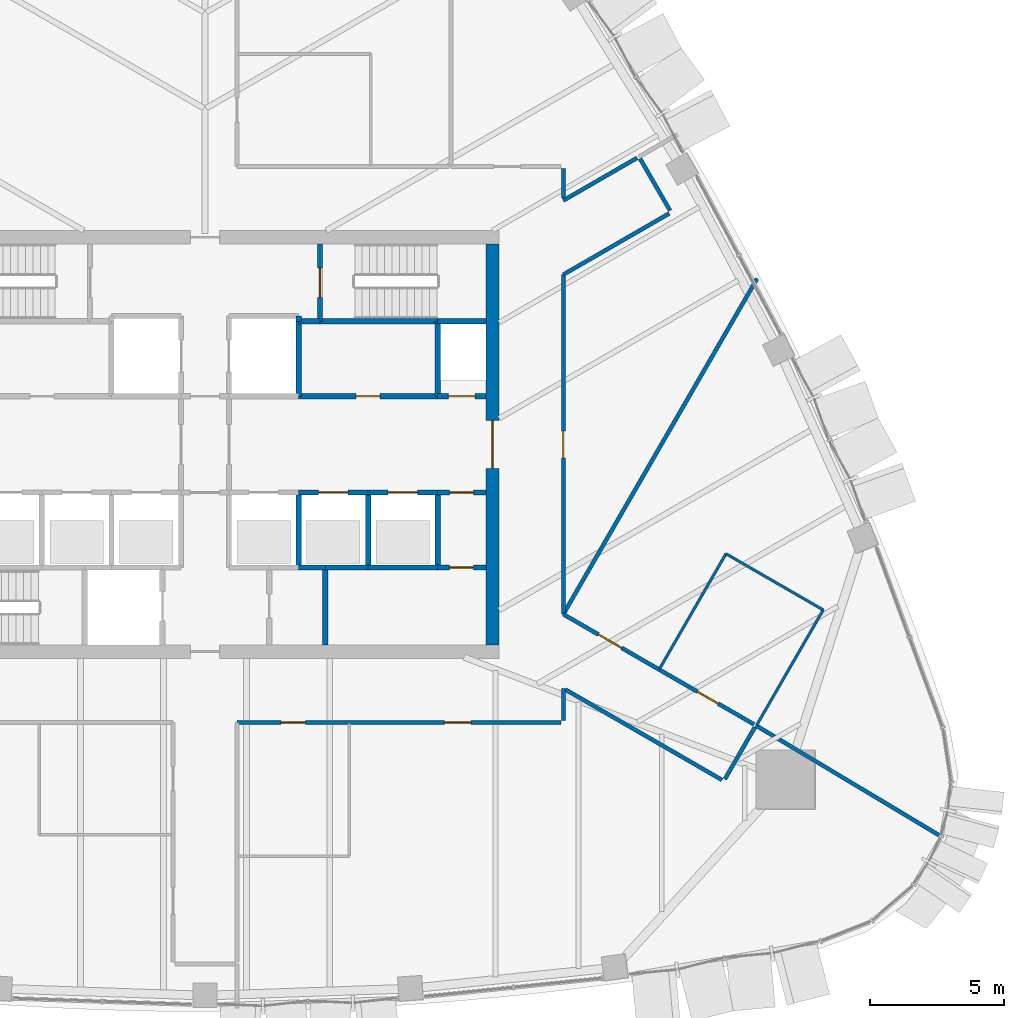
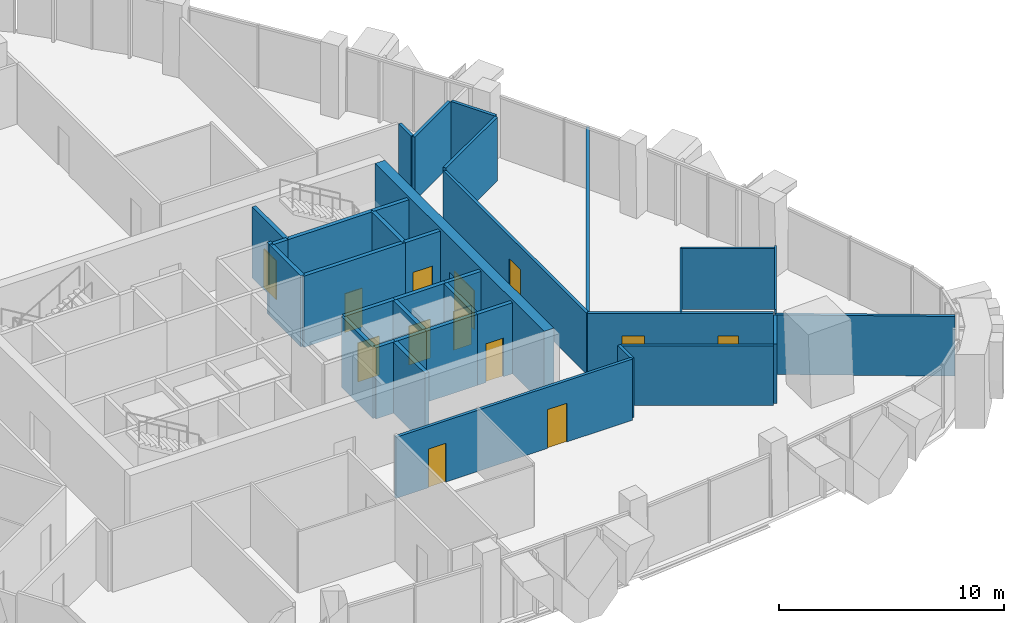
# One storey, part 13 of 18: 36 walls, 13 doors, 13 openings.
"""IFC4 building model written with IfcOpenShell, lengths in metres."""

from ifc_helpers import new_model, si_unit, direction, frame, frame_2d, origin, place, context, subcontext, project, spatial, rectangle, extrude, material, layer, layer_set, type_object, element, fill, save


model = new_model("IFC4")

# Units and contexts
model_context = context("Model", 3, precision=1e-05, world=origin(), true_north=direction((0.0, 1.0)))
body_context = subcontext(model_context, "Body", "Model", "MODEL_VIEW")
ifc_project = project(units=[si_unit("LENGTHUNIT", "METRE"), si_unit("AREAUNIT", "SQUARE_METRE"), si_unit("VOLUMEUNIT", "CUBIC_METRE"), si_unit("PLANEANGLEUNIT", "RADIAN"), si_unit("MASSUNIT", "GRAM", prefix="KILO")], contexts=[model_context])

# Site, building, storey
site_placement = place(None, origin())
site = spatial("IfcSite", under=ifc_project, at=site_placement, CompositionType="ELEMENT")
building_placement = place(site_placement, origin())
building = spatial("IfcBuilding", under=site, at=building_placement, Name="Sierra Prisma Convention Tower", CompositionType="ELEMENT")
storey_placement = place(building_placement, frame((0.0, 0.0, 251.0)))
storey = spatial("IfcBuildingStorey", under=building, at=storey_placement, Name="L56", CompositionType="ELEMENT", Elevation=251.0)

# Walls
ifc_material_1 = material(Name="Gypsum board partition", Category="gypsum")
ifc_layer_1 = layer(ifc_material_1, 0.10009765625)
ifc_layer_set_1 = layer_set([ifc_layer_1], Name="Bathroom partition 100")
wall_type_1 = type_object("IfcWallType", Name="Bathroom partition 100", PredefinedType="PARTITIONING", material=ifc_layer_set_1)
wall_1_placement = place(storey_placement, frame((16.99755859375, -8.393310546875, 0.0), z_axis=(0.0, 0.0, 1.0), x_axis=(0.500011595943, 0.86601870876, 0.0)))
element("IfcWall", 1, at=wall_1_placement, inside=storey, type_object=wall_type_1, Name="Partition L56 bath 9", PredefinedType="PARTITIONING", context=body_context, shape_type="SweptSolid", body=[
    extrude(rectangle(XDim=4.97021484375, YDim=0.10009765625, at=frame_2d((2.485107421875, 0.0))), origin(), (0.0, 0.0, 1.0), 3.31689453125),
])
wall_2_placement = place(storey_placement, frame((19.482666015625, -4.089111328125, 0.0), z_axis=(0.0, 0.0, 1.0), x_axis=(0.866009402589, -0.500027713859, 0.0)))
element("IfcWall", 2, at=wall_2_placement, inside=storey, type_object=wall_type_1, Name="Partition L56 bath 10", PredefinedType="PARTITIONING", context=body_context, shape_type="SweptSolid", body=[
    extrude(rectangle(XDim=4.199951171875, YDim=0.10009765625, at=frame_2d((2.10009765625, 0.0))), origin(), (0.0, 0.0, 1.0), 3.31689453125),
])
wall_3_placement = place(storey_placement, frame((23.119873046875, -6.189208984375, 0.0), z_axis=(0.0, 0.0, 1.0), x_axis=(-0.499974753747, -0.866039979225, 0.0)))
element("IfcWall", 3, at=wall_3_placement, inside=storey, type_object=wall_type_1, Name="Partition L56 bath 11", PredefinedType="PARTITIONING", context=body_context, shape_type="SweptSolid", body=[
    extrude(rectangle(XDim=4.969970703125, YDim=0.10009765625, at=frame_2d((2.48486328125, 0.0))), origin(), (0.0, 0.0, 1.0), 3.443115234375),
])
ifc_material_2 = material(Name="Concrete C30/37", Category="concrete")
ifc_layer_2 = layer(ifc_material_2, 0.199951171875)
ifc_layer_set_2 = layer_set([ifc_layer_2], Name="Core wall RC 200 C30/37")
wall_type_2 = type_object("IfcWallType", Name="Core wall RC 200 C30/37", PredefinedType="SOLIDWALL", material=ifc_layer_set_2)
wall_4_placement = place(storey_placement, frame((3.5, 4.60009765625, 0.0), z_axis=(0.0, 0.0, 1.0), x_axis=(0.0, 1.0, 0.0)))
element("IfcWall", 4, at=wall_4_placement, inside=storey, type_object=wall_type_2, Name="Core wall L56 37", PredefinedType="SOLIDWALL", context=body_context, shape_type="SweptSolid", body=[
    extrude(rectangle(XDim=0.199951171875, YDim=0.199951171875, at=frame_2d((0.10009765625, 0.0))), origin(), (0.0, 0.0, 1.0), 3.85009765625),
])
wall_5_placement = place(storey_placement, frame((4.5, -4.60009765625, 0.0), z_axis=(0.0, 0.0, 1.0), x_axis=(-1.0, 0.0, 0.0)))
element("IfcWall", 5, at=wall_5_placement, inside=storey, type_object=wall_type_2, Name="Core wall L56 42", PredefinedType="SOLIDWALL", context=body_context, shape_type="SweptSolid", body=[
    extrude(rectangle(XDim=1.0, YDim=0.199951171875, at=frame_2d((0.5, 0.0))), origin(), (0.0, 0.0, 1.0), 3.85009765625),
])
wall_6_placement = place(storey_placement, frame((3.5, -4.60009765625, 0.0), z_axis=(0.0, 0.0, 1.0), x_axis=(0.0, 1.0, 0.0)))
element("IfcWall", 6, at=wall_6_placement, inside=storey, type_object=wall_type_2, Name="Core wall L56 43", PredefinedType="SOLIDWALL", context=body_context, shape_type="SweptSolid", body=[
    extrude(rectangle(XDim=2.800048828125, YDim=0.199951171875, at=frame_2d((1.39990234375, 0.0))), origin(), (0.0, 0.0, 1.0), 3.85009765625),
])

# Wall, opening, door
wall_7_placement = place(storey_placement, frame((3.5, -1.800048828125, 0.0), z_axis=(0.0, 0.0, 1.0), x_axis=(1.0, 0.0, 0.0)))
wall_7 = element("IfcWall", 7, at=wall_7_placement, inside=storey, type_object=wall_type_2, Name="Core wall L56 44", PredefinedType="SOLIDWALL", context=body_context, shape_type="SweptSolid", body=[
    extrude(rectangle(XDim=2.60009765625, YDim=0.199951171875, at=frame_2d((1.300048828125, 0.0))), origin(), (0.0, 0.0, 1.0), 3.85009765625),
])
opening_1_placement = place(wall_7_placement, frame((0.75, 0.0, 0.0)))
opening_1 = element("IfcOpeningElement", 8, at=opening_1_placement, cuts=wall_7, Name="Opening L56-D005", PredefinedType="OPENING", context=body_context, shape_type="SweptSolid", body=[
    extrude(rectangle(XDim=1.10009765625, YDim=2.10009765625, at=frame_2d((0.550048828125, 1.050048828125))), frame((0.0, 0.10009765625, 0.0), z_axis=(0.0, -1.0, 0.0), x_axis=(1.0, 0.0, 0.0)), (0.0, 0.0, 1.0), 0.199951171875),
])
ifc_material_3 = material(Name="Steel fire door leaf", Category="steel")
door_type_1 = type_object("IfcDoorType", Name="Door 1100x2100 EI 90 sliding lift landing", OperationType="SLIDING_TO_LEFT", PredefinedType="DOOR", material=ifc_material_3)
door_1_placement = place(opening_1_placement, origin())
door_1 = element("IfcDoor", 9, at=door_1_placement, inside=storey, type_object=door_type_1, Name="Door L56 20", OperationType="SLIDING_TO_LEFT", OverallHeight=2.10009765625, OverallWidth=1.10009765625, PredefinedType="DOOR", context=body_context, shape_type="SweptSolid", body=[
    extrude(rectangle(XDim=1.10009765625, YDim=2.10009765625, at=frame_2d((0.550048828125, 1.050048828125))), frame((0.0, 0.02490234375, 0.0), z_axis=(0.0, -1.0, 0.0), x_axis=(1.0, 0.0, 0.0)), (0.0, 0.0, 1.0), 0.050048828125),
])
fill(opening_1, door_1)

wall_8_placement = place(storey_placement, frame((3.5, 1.800048828125, 0.0), z_axis=(0.0, 0.0, 1.0), x_axis=(1.0, 0.0, 0.0)))
wall_8 = element("IfcWall", 10, at=wall_8_placement, inside=storey, type_object=wall_type_2, Name="Core wall L56 45", PredefinedType="SOLIDWALL", context=body_context, shape_type="SweptSolid", body=[
    extrude(rectangle(XDim=5.199951171875, YDim=0.199951171875, at=frame_2d((2.60009765625, 0.0))), origin(), (0.0, 0.0, 1.0), 3.85009765625),
])
opening_2_placement = place(wall_8_placement, frame((2.14990234375, 0.0, 0.0)))
opening_2 = element("IfcOpeningElement", 11, at=opening_2_placement, cuts=wall_8, Name="Opening L56-D020", PredefinedType="OPENING", context=body_context, shape_type="SweptSolid", body=[
    extrude(rectangle(XDim=0.89990234375, YDim=2.10009765625, at=frame_2d((0.449951171875, 1.050048828125))), frame((0.0, 0.10009765625, 0.0), z_axis=(0.0, -1.0, 0.0), x_axis=(1.0, 0.0, 0.0)), (0.0, 0.0, 1.0), 0.199951171875),
])
ifc_material_4 = material(Name="Steel fire door leaf", Category="steel")
door_type_2 = type_object("IfcDoorType", Name="Door 900x2100 FD30S", OperationType="SINGLE_SWING_LEFT", PredefinedType="DOOR", material=ifc_material_4)
door_2_placement = place(opening_2_placement, origin())
door_2 = element("IfcDoor", 12, at=door_2_placement, inside=storey, type_object=door_type_2, Name="Door L56 35", OperationType="SINGLE_SWING_LEFT", OverallHeight=2.10009765625, OverallWidth=0.89990234375, PredefinedType="DOOR", context=body_context, shape_type="SweptSolid", body=[
    extrude(rectangle(XDim=0.89990234375, YDim=2.10009765625, at=frame_2d((0.449951171875, 1.050048828125))), frame((0.0, 0.02490234375, 0.0), z_axis=(0.0, -1.0, 0.0), x_axis=(1.0, 0.0, 0.0)), (0.0, 0.0, 1.0), 0.050048828125),
])
fill(opening_2, door_2)

# Walls
wall_9_placement = place(storey_placement, frame((3.5, 4.60009765625, 0.0), z_axis=(0.0, 0.0, 1.0), x_axis=(0.0, -1.0, 0.0)))
element("IfcWall", 13, at=wall_9_placement, inside=storey, type_object=wall_type_2, Name="Core wall L56 46", PredefinedType="SOLIDWALL", context=body_context, shape_type="SweptSolid", body=[
    extrude(rectangle(XDim=2.800048828125, YDim=0.199951171875, at=frame_2d((1.39990234375, 0.0))), origin(), (0.0, 0.0, 1.0), 3.85009765625),
])
wall_10_placement = place(storey_placement, frame((4.300048828125, 4.60009765625, 0.0), z_axis=(0.0, 0.0, 1.0), x_axis=(-1.0, 0.0, 0.0)))
element("IfcWall", 14, at=wall_10_placement, inside=storey, type_object=wall_type_2, Name="Core wall L56 47", PredefinedType="SOLIDWALL", context=body_context, shape_type="SweptSolid", body=[
    extrude(rectangle(XDim=0.800048828125, YDim=0.199951171875, at=frame_2d((0.39990234375, 0.0))), origin(), (0.0, 0.0, 1.0), 3.85009765625),
])
wall_11_placement = place(storey_placement, frame((8.699951171875, 4.60009765625, 0.0), z_axis=(0.0, 0.0, 1.0), x_axis=(-1.0, 0.0, 0.0)))
element("IfcWall", 15, at=wall_11_placement, inside=storey, type_object=wall_type_2, Name="Core wall L56 48", PredefinedType="SOLIDWALL", context=body_context, shape_type="SweptSolid", body=[
    extrude(rectangle(XDim=4.39990234375, YDim=0.199951171875, at=frame_2d((2.199951171875, 0.0))), origin(), (0.0, 0.0, 1.0), 3.85009765625),
])

# Wall, opening, door
wall_12_placement = place(storey_placement, frame((4.300048828125, 7.5, 0.0), z_axis=(0.0, 0.0, 1.0), x_axis=(0.0, -1.0, 0.0)))
wall_12 = element("IfcWall", 16, at=wall_12_placement, inside=storey, type_object=wall_type_2, Name="Core wall L56 49", PredefinedType="SOLIDWALL", context=body_context, shape_type="SweptSolid", body=[
    extrude(rectangle(XDim=2.89990234375, YDim=0.199951171875, at=frame_2d((1.449951171875, 0.0))), origin(), (0.0, 0.0, 1.0), 3.85009765625),
])
opening_3_placement = place(wall_12_placement, frame((0.89990234375, 0.0, 0.0)))
opening_3 = element("IfcOpeningElement", 17, at=opening_3_placement, cuts=wall_12, Name="Opening L56-D019", PredefinedType="OPENING", context=body_context, shape_type="SweptSolid", body=[
    extrude(rectangle(XDim=1.10009765625, YDim=2.10009765625, at=frame_2d((0.550048828125, 1.050048828125))), frame((0.0, 0.10009765625, 0.0), z_axis=(0.0, -1.0, 0.0), x_axis=(1.0, 0.0, 0.0)), (0.0, 0.0, 1.0), 0.199951171875),
])
ifc_material_5 = material(Name="Steel fire door leaf", Category="steel")
door_type_3 = type_object("IfcDoorType", Name="Door 1100x2100 FD90S", OperationType="SINGLE_SWING_LEFT", PredefinedType="DOOR", material=ifc_material_5)
door_3_placement = place(opening_3_placement, origin())
door_3 = element("IfcDoor", 18, at=door_3_placement, inside=storey, type_object=door_type_3, Name="Door L56 34", OperationType="SINGLE_SWING_LEFT", OverallHeight=2.10009765625, OverallWidth=1.10009765625, PredefinedType="DOOR", context=body_context, shape_type="SweptSolid", body=[
    extrude(rectangle(XDim=1.10009765625, YDim=2.10009765625, at=frame_2d((0.550048828125, 1.050048828125))), frame((0.0, 0.02490234375, 0.0), z_axis=(0.0, -1.0, 0.0), x_axis=(1.0, 0.0, 0.0)), (0.0, 0.0, 1.0), 0.050048828125),
])
fill(opening_3, door_3)

# Walls
wall_13_placement = place(storey_placement, frame((4.5, -4.60009765625, 0.0), z_axis=(0.0, 0.0, 1.0), x_axis=(0.0, -1.0, 0.0)))
element("IfcWall", 19, at=wall_13_placement, inside=storey, type_object=wall_type_2, Name="Core wall L56 50", PredefinedType="SOLIDWALL", context=body_context, shape_type="SweptSolid", body=[
    extrude(rectangle(XDim=2.89990234375, YDim=0.199951171875, at=frame_2d((1.449951171875, 0.0))), origin(), (0.0, 0.0, 1.0), 3.85009765625),
])
wall_14_placement = place(storey_placement, frame((6.10009765625, -4.60009765625, 0.0), z_axis=(0.0, 0.0, 1.0), x_axis=(-1.0, 0.0, 0.0)))
element("IfcWall", 20, at=wall_14_placement, inside=storey, type_object=wall_type_2, Name="Core wall L56 51", PredefinedType="SOLIDWALL", context=body_context, shape_type="SweptSolid", body=[
    extrude(rectangle(XDim=1.60009765625, YDim=0.199951171875, at=frame_2d((0.800048828125, 0.0))), origin(), (0.0, 0.0, 1.0), 3.85009765625),
])
wall_15_placement = place(storey_placement, frame((8.699951171875, -4.60009765625, 0.0), z_axis=(0.0, 0.0, 1.0), x_axis=(-1.0, 0.0, 0.0)))
element("IfcWall", 21, at=wall_15_placement, inside=storey, type_object=wall_type_2, Name="Core wall L56 52", PredefinedType="SOLIDWALL", context=body_context, shape_type="SweptSolid", body=[
    extrude(rectangle(XDim=2.599853515625, YDim=0.199951171875, at=frame_2d((1.2998046875, 0.0))), origin(), (0.0, 0.0, 1.0), 3.85009765625),
])
wall_16_placement = place(storey_placement, frame((6.10009765625, -4.60009765625, 0.0), z_axis=(0.0, 0.0, 1.0), x_axis=(0.0, 1.0, 0.0)))
element("IfcWall", 22, at=wall_16_placement, inside=storey, type_object=wall_type_2, Name="Core wall L56 53", PredefinedType="SOLIDWALL", context=body_context, shape_type="SweptSolid", body=[
    extrude(rectangle(XDim=2.800048828125, YDim=0.199951171875, at=frame_2d((1.39990234375, 0.0))), origin(), (0.0, 0.0, 1.0), 3.85009765625),
])

# Wall, opening, door
wall_17_placement = place(storey_placement, frame((6.10009765625, -1.800048828125, 0.0), z_axis=(0.0, 0.0, 1.0), x_axis=(1.0, 0.0, 0.0)))
wall_17 = element("IfcWall", 23, at=wall_17_placement, inside=storey, type_object=wall_type_2, Name="Core wall L56 54", PredefinedType="SOLIDWALL", context=body_context, shape_type="SweptSolid", body=[
    extrude(rectangle(XDim=2.599853515625, YDim=0.199951171875, at=frame_2d((1.2998046875, 0.0))), origin(), (0.0, 0.0, 1.0), 3.85009765625),
])
opening_4_placement = place(wall_17_placement, frame((0.75, 0.0, 0.0)))
opening_4 = element("IfcOpeningElement", 24, at=opening_4_placement, cuts=wall_17, Name="Opening L56-D006", PredefinedType="OPENING", context=body_context, shape_type="SweptSolid", body=[
    extrude(rectangle(XDim=1.10009765625, YDim=2.10009765625, at=frame_2d((0.550048828125, 1.050048828125))), frame((0.0, 0.10009765625, 0.0), z_axis=(0.0, -1.0, 0.0), x_axis=(1.0, 0.0, 0.0)), (0.0, 0.0, 1.0), 0.199951171875),
])
door_4_placement = place(opening_4_placement, origin())
door_4 = element("IfcDoor", 25, at=door_4_placement, inside=storey, type_object=door_type_1, Name="Door L56 21", OperationType="SLIDING_TO_RIGHT", OverallHeight=2.10009765625, OverallWidth=1.10009765625, PredefinedType="DOOR", context=body_context, shape_type="SweptSolid", body=[
    extrude(rectangle(XDim=1.10009765625, YDim=2.10009765625, at=frame_2d((0.550048828125, 1.050048828125))), frame((0.0, 0.02490234375, 0.0), z_axis=(0.0, -1.0, 0.0), x_axis=(1.0, 0.0, 0.0)), (0.0, 0.0, 1.0), 0.050048828125),
])
fill(opening_4, door_4)

wall_18_placement = place(storey_placement, frame((10.5, -4.60009765625, 0.0), z_axis=(0.0, 0.0, 1.0), x_axis=(-1.0, 0.0, 0.0)))
wall_18 = element("IfcWall", 26, at=wall_18_placement, inside=storey, type_object=wall_type_2, Name="Core wall L56 55", PredefinedType="SOLIDWALL", context=body_context, shape_type="SweptSolid", body=[
    extrude(rectangle(XDim=1.800048828125, YDim=0.199951171875, at=frame_2d((0.89990234375, 0.0))), origin(), (0.0, 0.0, 1.0), 3.85009765625),
])
opening_5_placement = place(wall_18_placement, frame((0.4599609375, 0.0, 0.0)))
opening_5 = element("IfcOpeningElement", 27, at=opening_5_placement, cuts=wall_18, Name="Opening L56-D022", PredefinedType="OPENING", context=body_context, shape_type="SweptSolid", body=[
    extrude(rectangle(XDim=0.89990234375, YDim=2.10009765625, at=frame_2d((0.449951171875, 1.050048828125))), frame((0.0, 0.10009765625, 0.0), z_axis=(0.0, -1.0, 0.0), x_axis=(1.0, 0.0, 0.0)), (0.0, 0.0, 1.0), 0.199951171875),
])
door_5_placement = place(opening_5_placement, origin())
door_5 = element("IfcDoor", 28, at=door_5_placement, inside=storey, type_object=door_type_2, Name="Door L56 37", OperationType="SINGLE_SWING_RIGHT", OverallHeight=2.10009765625, OverallWidth=0.89990234375, PredefinedType="DOOR", context=body_context, shape_type="SweptSolid", body=[
    extrude(rectangle(XDim=0.89990234375, YDim=2.10009765625, at=frame_2d((0.449951171875, 1.050048828125))), frame((0.0, 0.02490234375, 0.0), z_axis=(0.0, -1.0, 0.0), x_axis=(1.0, 0.0, 0.0)), (0.0, 0.0, 1.0), 0.050048828125),
])
fill(opening_5, door_5)

# Wall
wall_19_placement = place(storey_placement, frame((8.699951171875, -1.800048828125, 0.0), z_axis=(0.0, 0.0, 1.0), x_axis=(0.0, -1.0, 0.0)))
element("IfcWall", 29, at=wall_19_placement, inside=storey, type_object=wall_type_2, Name="Core wall L56 56", PredefinedType="SOLIDWALL", context=body_context, shape_type="SweptSolid", body=[
    extrude(rectangle(XDim=2.800048828125, YDim=0.199951171875, at=frame_2d((1.39990234375, 0.0))), origin(), (0.0, 0.0, 1.0), 3.85009765625),
])

# Wall, opening, door
wall_20_placement = place(storey_placement, frame((8.699951171875, -1.800048828125, 0.0), z_axis=(0.0, 0.0, 1.0), x_axis=(1.0, 0.0, 0.0)))
wall_20 = element("IfcWall", 30, at=wall_20_placement, inside=storey, type_object=wall_type_2, Name="Core wall L56 57", PredefinedType="SOLIDWALL", context=body_context, shape_type="SweptSolid", body=[
    extrude(rectangle(XDim=1.800048828125, YDim=0.199951171875, at=frame_2d((0.89990234375, 0.0))), origin(), (0.0, 0.0, 1.0), 3.85009765625),
])
opening_6_placement = place(wall_20_placement, frame((0.449951171875, 0.0, 0.0)))
opening_6 = element("IfcOpeningElement", 31, at=opening_6_placement, cuts=wall_20, Name="Opening L56-D023", PredefinedType="OPENING", context=body_context, shape_type="SweptSolid", body=[
    extrude(rectangle(XDim=0.89990234375, YDim=2.10009765625, at=frame_2d((0.449951171875, 1.050048828125))), frame((0.0, 0.10009765625, 0.0), z_axis=(0.0, -1.0, 0.0), x_axis=(1.0, 0.0, 0.0)), (0.0, 0.0, 1.0), 0.199951171875),
])
door_6_placement = place(opening_6_placement, origin())
door_6 = element("IfcDoor", 32, at=door_6_placement, inside=storey, type_object=door_type_2, Name="Door L56 38", OperationType="SINGLE_SWING_LEFT", OverallHeight=2.10009765625, OverallWidth=0.89990234375, PredefinedType="DOOR", context=body_context, shape_type="SweptSolid", body=[
    extrude(rectangle(XDim=0.89990234375, YDim=2.10009765625, at=frame_2d((0.449951171875, 1.050048828125))), frame((0.0, 0.02490234375, 0.0), z_axis=(0.0, -1.0, 0.0), x_axis=(1.0, 0.0, 0.0)), (0.0, 0.0, 1.0), 0.050048828125),
])
fill(opening_6, door_6)

wall_21_placement = place(storey_placement, frame((10.5, 1.800048828125, 0.0), z_axis=(0.0, 0.0, 1.0), x_axis=(-1.0, 0.0, 0.0)))
wall_21 = element("IfcWall", 33, at=wall_21_placement, inside=storey, type_object=wall_type_2, Name="Core wall L56 58", PredefinedType="SOLIDWALL", context=body_context, shape_type="SweptSolid", body=[
    extrude(rectangle(XDim=1.800048828125, YDim=0.199951171875, at=frame_2d((0.89990234375, 0.0))), origin(), (0.0, 0.0, 1.0), 3.85009765625),
])
opening_7_placement = place(wall_21_placement, frame((0.39990234375, 0.0, 0.0)))
opening_7 = element("IfcOpeningElement", 34, at=opening_7_placement, cuts=wall_21, Name="Opening L56-D016", PredefinedType="OPENING", context=body_context, shape_type="SweptSolid", body=[
    extrude(rectangle(XDim=1.0, YDim=2.10009765625, at=frame_2d((0.5, 1.050048828125))), frame((0.0, 0.10009765625, 0.0), z_axis=(0.0, -1.0, 0.0), x_axis=(1.0, 0.0, 0.0)), (0.0, 0.0, 1.0), 0.199951171875),
])
ifc_material_6 = material(Name="Steel fire door leaf", Category="steel")
door_type_4 = type_object("IfcDoorType", Name="Door 1000x2100 FD60S", OperationType="SINGLE_SWING_LEFT", PredefinedType="DOOR", material=ifc_material_6)
door_7_placement = place(opening_7_placement, origin())
door_7 = element("IfcDoor", 35, at=door_7_placement, inside=storey, type_object=door_type_4, Name="Door L56 31", OperationType="SINGLE_SWING_LEFT", OverallHeight=2.10009765625, OverallWidth=1.0, PredefinedType="DOOR", context=body_context, shape_type="SweptSolid", body=[
    extrude(rectangle(XDim=1.0, YDim=2.10009765625, at=frame_2d((0.5, 1.050048828125))), frame((0.0, 0.02490234375, 0.0), z_axis=(0.0, -1.0, 0.0), x_axis=(1.0, 0.0, 0.0)), (0.0, 0.0, 1.0), 0.050048828125),
])
fill(opening_7, door_7)

# Walls
wall_22_placement = place(storey_placement, frame((8.699951171875, 1.800048828125, 0.0), z_axis=(0.0, 0.0, 1.0), x_axis=(0.0, 1.0, 0.0)))
element("IfcWall", 36, at=wall_22_placement, inside=storey, type_object=wall_type_2, Name="Core wall L56 59", PredefinedType="SOLIDWALL", context=body_context, shape_type="SweptSolid", body=[
    extrude(rectangle(XDim=2.800048828125, YDim=0.199951171875, at=frame_2d((1.39990234375, 0.0))), origin(), (0.0, 0.0, 1.0), 3.85009765625),
])
wall_23_placement = place(storey_placement, frame((10.5, 4.60009765625, 0.0), z_axis=(0.0, 0.0, 1.0), x_axis=(-1.0, 0.0, 0.0)))
element("IfcWall", 37, at=wall_23_placement, inside=storey, type_object=wall_type_2, Name="Core wall L56 60", PredefinedType="SOLIDWALL", context=body_context, shape_type="SweptSolid", body=[
    extrude(rectangle(XDim=1.800048828125, YDim=0.199951171875, at=frame_2d((0.89990234375, 0.0))), origin(), (0.0, 0.0, 1.0), 3.85009765625),
])

# Wall, opening, door
ifc_material_7 = material(Name="Concrete C50/60", Category="concrete")
ifc_layer_3 = layer(ifc_material_7, 0.5)
ifc_layer_set_3 = layer_set([ifc_layer_3], Name="Core wall RC 500 C50/60")
wall_type_3 = type_object("IfcWallType", Name="Core wall RC 500 C50/60", PredefinedType="SHEAR", material=ifc_layer_set_3)
wall_24_placement = place(storey_placement, frame((10.75, -7.5, 0.0), z_axis=(0.0, 0.0, 1.0), x_axis=(0.0, 1.0, 0.0)))
wall_24 = element("IfcWall", 38, at=wall_24_placement, inside=storey, type_object=wall_type_3, Name="Core wall E L56", PredefinedType="SHEAR", context=body_context, shape_type="SweptSolid", body=[
    extrude(rectangle(XDim=15.0, YDim=0.5, at=frame_2d((7.5, 0.0))), origin(), (0.0, 0.0, 1.0), 4.0),
])
opening_8_placement = place(wall_24_placement, frame((6.60009765625, 0.0, 0.0)))
opening_8 = element("IfcOpeningElement", 39, at=opening_8_placement, cuts=wall_24, Name="Opening L56-D040", PredefinedType="OPENING", context=body_context, shape_type="SweptSolid", body=[
    extrude(rectangle(XDim=1.800048828125, YDim=2.10009765625, at=frame_2d((0.89990234375, 1.050048828125))), frame((0.0, 0.25, 0.0), z_axis=(0.0, -1.0, 0.0), x_axis=(1.0, 0.0, 0.0)), (0.0, 0.0, 1.0), 0.5),
])
ifc_material_8 = material(Name="Steel fire door leaf", Category="steel")
door_type_5 = type_object("IfcDoorType", Name="Door 1800x2100 FD60S", OperationType="DOUBLE_DOOR_SINGLE_SWING", PredefinedType="DOOR", material=ifc_material_8)
door_8_placement = place(opening_8_placement, origin())
door_8 = element("IfcDoor", 40, at=door_8_placement, inside=storey, type_object=door_type_5, Name="Door L56 41", OperationType="DOUBLE_DOOR_SINGLE_SWING", OverallHeight=2.10009765625, OverallWidth=1.800048828125, PredefinedType="DOOR", context=body_context, shape_type="SweptSolid", body=[
    extrude(rectangle(XDim=1.800048828125, YDim=2.10009765625, at=frame_2d((0.89990234375, 1.050048828125))), frame((0.0, 0.02490234375, 0.0), z_axis=(0.0, -1.0, 0.0), x_axis=(1.0, 0.0, 0.0)), (0.0, 0.0, 1.0), 0.050048828125),
])
fill(opening_8, door_8)

# Wall, openings, doors
ifc_material_9 = material(Name="Gypsum board partition", Category="gypsum")
ifc_layer_4 = layer(ifc_material_9, 0.14990234375)
ifc_layer_set_4 = layer_set([ifc_layer_4], Name="Corridor wall 150 gypsum EI 60")
wall_type_4 = type_object("IfcWallType", Name="Corridor wall 150 gypsum EI 60", PredefinedType="PARTITIONING", material=ifc_layer_set_4)
wall_25_placement = place(storey_placement, frame((1.199951171875, -10.39990234375, 0.0), z_axis=(0.0, 0.0, 1.0), x_axis=(1.0, 0.0, 0.0)))
wall_25 = element("IfcWall", 41, at=wall_25_placement, inside=storey, type_object=wall_type_4, Name="Partition L56 corr 15", PredefinedType="PARTITIONING", context=body_context, shape_type="SweptSolid", body=[
    extrude(rectangle(XDim=12.1201171875, YDim=0.14990234375, at=frame_2d((6.06005859375, 0.0))), origin(), (0.0, 0.0, 1.0), 3.31689453125),
])
opening_9_placement = place(wall_25_placement, frame((1.64990234375, 0.0, 0.0)))
opening_9 = element("IfcOpeningElement", 42, at=opening_9_placement, cuts=wall_25, Name="Opening L56-D036", PredefinedType="OPENING", context=body_context, shape_type="SweptSolid", body=[
    extrude(rectangle(XDim=0.89990234375, YDim=2.10009765625, at=frame_2d((0.449951171875, 1.050048828125))), frame((0.0, 0.074951171875, 0.0), z_axis=(0.0, -1.0, 0.0), x_axis=(1.0, 0.0, 0.0)), (0.0, 0.0, 1.0), 0.14990234375),
])
opening_10_placement = place(wall_25_placement, frame((7.75, 0.0, 0.0)))
opening_10 = element("IfcOpeningElement", 43, at=opening_10_placement, cuts=wall_25, Name="Opening L56-D037", PredefinedType="OPENING", context=body_context, shape_type="SweptSolid", body=[
    extrude(rectangle(XDim=1.0, YDim=2.10009765625, at=frame_2d((0.5, 1.050048828125))), frame((0.0, 0.074951171875, 0.0), z_axis=(0.0, -1.0, 0.0), x_axis=(1.0, 0.0, 0.0)), (0.0, 0.0, 1.0), 0.14990234375),
])
ifc_material_10 = material(Name="Steel fire door leaf", Category="steel")
door_type_6 = type_object("IfcDoorType", Name="Door 1000x2100 FD30S", OperationType="SINGLE_SWING_LEFT", PredefinedType="DOOR", material=ifc_material_10)
door_9_placement = place(opening_10_placement, origin())
door_9 = element("IfcDoor", 44, at=door_9_placement, inside=storey, type_object=door_type_6, Name="Door L56 13", OperationType="SINGLE_SWING_RIGHT", OverallHeight=2.10009765625, OverallWidth=1.0, PredefinedType="DOOR", context=body_context, shape_type="SweptSolid", body=[
    extrude(rectangle(XDim=1.0, YDim=2.10009765625, at=frame_2d((0.5, 1.050048828125))), frame((0.0, 0.02490234375, 0.0), z_axis=(0.0, -1.0, 0.0), x_axis=(1.0, 0.0, 0.0)), (0.0, 0.0, 1.0), 0.050048828125),
])
fill(opening_10, door_9)
door_10_placement = place(opening_9_placement, origin())
door_10 = element("IfcDoor", 45, at=door_10_placement, inside=storey, type_object=door_type_2, Name="Door L56 12", OperationType="SINGLE_SWING_RIGHT", OverallHeight=2.10009765625, OverallWidth=0.89990234375, PredefinedType="DOOR", context=body_context, shape_type="SweptSolid", body=[
    extrude(rectangle(XDim=0.89990234375, YDim=2.10009765625, at=frame_2d((0.449951171875, 1.050048828125))), frame((0.0, 0.02490234375, 0.0), z_axis=(0.0, -1.0, 0.0), x_axis=(1.0, 0.0, 0.0)), (0.0, 0.0, 1.0), 0.050048828125),
])
fill(opening_9, door_10)

# Walls
wall_26_placement = place(storey_placement, frame((13.39990234375, -10.320068359375, 0.0), z_axis=(0.0, 0.0, 1.0), x_axis=(0.0, 1.0, 0.0)))
element("IfcWall", 46, at=wall_26_placement, inside=storey, type_object=wall_type_4, Name="Partition L56 corr 19", PredefinedType="PARTITIONING", context=body_context, shape_type="SweptSolid", body=[
    extrude(rectangle(XDim=1.197998046875, YDim=0.14990234375, at=frame_2d((0.59912109375, 0.0))), origin(), (0.0, 0.0, 1.0), 3.23291015625),
])
wall_27_placement = place(storey_placement, frame((13.479248046875, -9.16796875, 0.0), z_axis=(0.0, 0.0, 1.0), x_axis=(0.866036425609, -0.499980909154, 0.0)))
element("IfcWall", 47, at=wall_27_placement, inside=storey, type_object=wall_type_4, Name="Partition L56 corr 20", PredefinedType="PARTITIONING", context=body_context, shape_type="SweptSolid", body=[
    extrude(rectangle(XDim=6.759521484375, YDim=0.14990234375, at=frame_2d((3.3798828125, 0.0))), origin(), (0.0, 0.0, 1.0), 3.23291015625),
])

# Wall, opening, door
wall_28_placement = place(storey_placement, frame((13.39990234375, -6.350830078125, 0.0), z_axis=(0.0, 0.0, 1.0), x_axis=(0.0, 1.0, 0.0)))
wall_28 = element("IfcWall", 48, at=wall_28_placement, inside=storey, type_object=wall_type_4, Name="Partition L56 corr 21", PredefinedType="PARTITIONING", context=body_context, shape_type="SweptSolid", body=[
    extrude(rectangle(XDim=12.70166015625, YDim=0.14990234375, at=frame_2d((6.350830078125, 0.0))), origin(), (0.0, 0.0, 1.0), 3.31689453125),
])
opening_11_placement = place(wall_28_placement, frame((5.850830078125, 0.0, 0.0)))
opening_11 = element("IfcOpeningElement", 49, at=opening_11_placement, cuts=wall_28, Name="Opening L56-D025", PredefinedType="OPENING", context=body_context, shape_type="SweptSolid", body=[
    extrude(rectangle(XDim=1.0, YDim=2.10009765625, at=frame_2d((0.5, 1.050048828125))), frame((0.0, 0.074951171875, 0.0), z_axis=(0.0, -1.0, 0.0), x_axis=(1.0, 0.0, 0.0)), (0.0, 0.0, 1.0), 0.14990234375),
])
door_11_placement = place(opening_11_placement, origin())
door_11 = element("IfcDoor", 50, at=door_11_placement, inside=storey, type_object=door_type_6, Name="Door L56 1", OperationType="SINGLE_SWING_RIGHT", OverallHeight=2.10009765625, OverallWidth=1.0, PredefinedType="DOOR", context=body_context, shape_type="SweptSolid", body=[
    extrude(rectangle(XDim=1.0, YDim=2.10009765625, at=frame_2d((0.5, 1.050048828125))), frame((0.0, 0.02490234375, 0.0), z_axis=(0.0, -1.0, 0.0), x_axis=(1.0, 0.0, 0.0)), (0.0, 0.0, 1.0), 0.050048828125),
])
fill(opening_11, door_11)

# Wall
wall_29_placement = place(storey_placement, frame((13.39990234375, 6.350830078125, 0.0), z_axis=(0.0, 0.0, 1.0), x_axis=(0.866027379035, 0.49999657875, 0.0)))
element("IfcWall", 51, at=wall_29_placement, inside=storey, type_object=wall_type_4, Name="Partition L56 corr 22", PredefinedType="PARTITIONING", context=body_context, shape_type="SweptSolid", body=[
    extrude(rectangle(XDim=4.57421875, YDim=0.14990234375, at=frame_2d((2.287109375, 0.0))), origin(), (0.0, 0.0, 1.0), 3.449951171875),
])

# Wall, openings, doors
wall_30_placement = place(storey_placement, frame((20.533203125, -10.46923828125, 0.0), z_axis=(0.0, 0.0, 1.0), x_axis=(-0.866025662596, 0.499999551726, 0.0)))
wall_30 = element("IfcWall", 52, at=wall_30_placement, inside=storey, type_object=wall_type_4, Name="Partition L56 corr 23", PredefinedType="PARTITIONING", context=body_context, shape_type="SweptSolid", body=[
    extrude(rectangle(XDim=8.23681640625, YDim=0.14990234375, at=frame_2d((4.118408203125, 0.0))), origin(), (0.0, 0.0, 1.0), 3.31689453125),
])
opening_12_placement = place(wall_30_placement, frame((1.550048828125, 0.0, 0.0)))
opening_12 = element("IfcOpeningElement", 53, at=opening_12_placement, cuts=wall_30, Name="Opening L56-D038", PredefinedType="OPENING", context=body_context, shape_type="SweptSolid", body=[
    extrude(rectangle(XDim=0.89990234375, YDim=2.10009765625, at=frame_2d((0.449951171875, 1.050048828125))), frame((0.0, 0.074951171875, 0.0), z_axis=(0.0, -1.0, 0.0), x_axis=(1.0, 0.0, 0.0)), (0.0, 0.0, 1.0), 0.14990234375),
])
opening_13_placement = place(wall_30_placement, frame((5.718505859375, 0.0, 0.0)))
opening_13 = element("IfcOpeningElement", 54, at=opening_13_placement, cuts=wall_30, Name="Opening L56-D039", PredefinedType="OPENING", context=body_context, shape_type="SweptSolid", body=[
    extrude(rectangle(XDim=1.0, YDim=2.10009765625, at=frame_2d((0.5, 1.050048828125))), frame((0.0, 0.074951171875, 0.0), z_axis=(0.0, -1.0, 0.0), x_axis=(1.0, 0.0, 0.0)), (0.0, 0.0, 1.0), 0.14990234375),
])
door_12_placement = place(opening_13_placement, origin())
door_12 = element("IfcDoor", 55, at=door_12_placement, inside=storey, type_object=door_type_6, Name="Door L56 15", OperationType="SINGLE_SWING_LEFT", OverallHeight=2.10009765625, OverallWidth=1.0, PredefinedType="DOOR", context=body_context, shape_type="SweptSolid", body=[
    extrude(rectangle(XDim=1.0, YDim=2.10009765625, at=frame_2d((0.5, 1.050048828125))), frame((0.0, 0.02490234375, 0.0), z_axis=(0.0, -1.0, 0.0), x_axis=(1.0, 0.0, 0.0)), (0.0, 0.0, 1.0), 0.050048828125),
])
fill(opening_13, door_12)
door_13_placement = place(opening_12_placement, origin())
door_13 = element("IfcDoor", 56, at=door_13_placement, inside=storey, type_object=door_type_2, Name="Door L56 14", OperationType="SINGLE_SWING_LEFT", OverallHeight=2.10009765625, OverallWidth=0.89990234375, PredefinedType="DOOR", context=body_context, shape_type="SweptSolid", body=[
    extrude(rectangle(XDim=0.89990234375, YDim=2.10009765625, at=frame_2d((0.449951171875, 1.050048828125))), frame((0.0, 0.02490234375, 0.0), z_axis=(0.0, -1.0, 0.0), x_axis=(1.0, 0.0, 0.0)), (0.0, 0.0, 1.0), 0.050048828125),
])
fill(opening_12, door_13)

# Walls
wall_31_placement = place(storey_placement, frame((16.161376953125, 10.71630859375, 0.0), z_axis=(0.0, 0.0, 1.0), x_axis=(-0.86603896, -0.499976519211, 0.0)))
element("IfcWall", 57, at=wall_31_placement, inside=storey, type_object=wall_type_4, Name="Partition L56 corr 24", PredefinedType="PARTITIONING", context=body_context, shape_type="SweptSolid", body=[
    extrude(rectangle(XDim=3.188720703125, YDim=0.14990234375, at=frame_2d((1.59423828125, 0.0))), origin(), (0.0, 0.0, 1.0), 3.449951171875),
])
wall_32_placement = place(storey_placement, frame((13.39990234375, 9.213623046875, 0.0), z_axis=(0.0, 0.0, 1.0), x_axis=(0.0, 1.0, 0.0)))
element("IfcWall", 58, at=wall_32_placement, inside=storey, type_object=wall_type_4, Name="Partition L56 corr 25", PredefinedType="PARTITIONING", context=body_context, shape_type="SweptSolid", body=[
    extrude(rectangle(XDim=1.1064453125, YDim=0.14990234375, at=frame_2d((0.55322265625, 0.0))), origin(), (0.0, 0.0, 1.0), 3.449951171875),
])
wall_33_placement = place(storey_placement, frame((17.390625, 8.747314453125, 0.0), z_axis=(0.0, 0.0, 1.0), x_axis=(-0.500077830873, 0.865980463445, 0.0)))
element("IfcWall", 59, at=wall_33_placement, inside=storey, type_object=wall_type_4, Name="Partition L56 corr 26", PredefinedType="PARTITIONING", context=body_context, shape_type="SweptSolid", body=[
    extrude(rectangle(XDim=2.239990234375, YDim=0.14990234375, at=frame_2d((1.1201171875, 0.0))), origin(), (0.0, 0.0, 1.0), 3.449951171875),
])
wall_34_placement = place(storey_placement, frame((19.442626953125, -12.5185546875, 0.0), z_axis=(0.0, 0.0, 1.0), x_axis=(0.49994888933, 0.866054910533, 0.0)))
element("IfcWall", 60, at=wall_34_placement, inside=storey, type_object=wall_type_4, Name="Partition L56 corr 27", PredefinedType="PARTITIONING", context=body_context, shape_type="SweptSolid", body=[
    extrude(rectangle(XDim=2.239990234375, YDim=0.14990234375, at=frame_2d((1.1201171875, 0.0))), origin(), (0.0, 0.0, 1.0), 3.23291015625),
])
ifc_material_11 = material(Name="Gypsum board partition", Category="gypsum")
ifc_layer_5 = layer(ifc_material_11, 0.14990234375)
ifc_layer_set_5 = layer_set([ifc_layer_5], Name="Party wall 150 gypsum")
wall_type_5 = type_object("IfcWallType", Name="Party wall 150 gypsum", PredefinedType="PARTITIONING", material=ifc_layer_set_5)
wall_35_placement = place(storey_placement, frame((20.647216796875, 6.201416015625, 0.0), z_axis=(0.0, 0.0, 1.0), x_axis=(-0.500014063744, -0.866017283926, 0.0)))
element("IfcWall", 61, at=wall_35_placement, inside=storey, type_object=wall_type_5, Name="Partition L56 party 10", PredefinedType="PARTITIONING", context=body_context, shape_type="SweptSolid", body=[
    extrude(rectangle(XDim=14.494140625, YDim=0.14990234375, at=frame_2d((7.2470703125, 0.0))), origin(), (0.0, 0.0, 1.0), 3.23388671875),
])
wall_36_placement = place(storey_placement, frame((20.6025390625, -10.50927734375, 0.0), z_axis=(0.0, 0.0, 1.0), x_axis=(0.85768451088, -0.514176311976, 0.0)))
element("IfcWall", 62, at=wall_36_placement, inside=storey, type_object=wall_type_5, Name="Partition L56 party 12", PredefinedType="PARTITIONING", context=body_context, shape_type="SweptSolid", body=[
    extrude(rectangle(XDim=7.980712890625, YDim=0.14990234375, at=frame_2d((3.990234375, 0.0))), origin(), (0.0, 0.0, 1.0), 3.23388671875),
])

save(model, "model.ifc")
